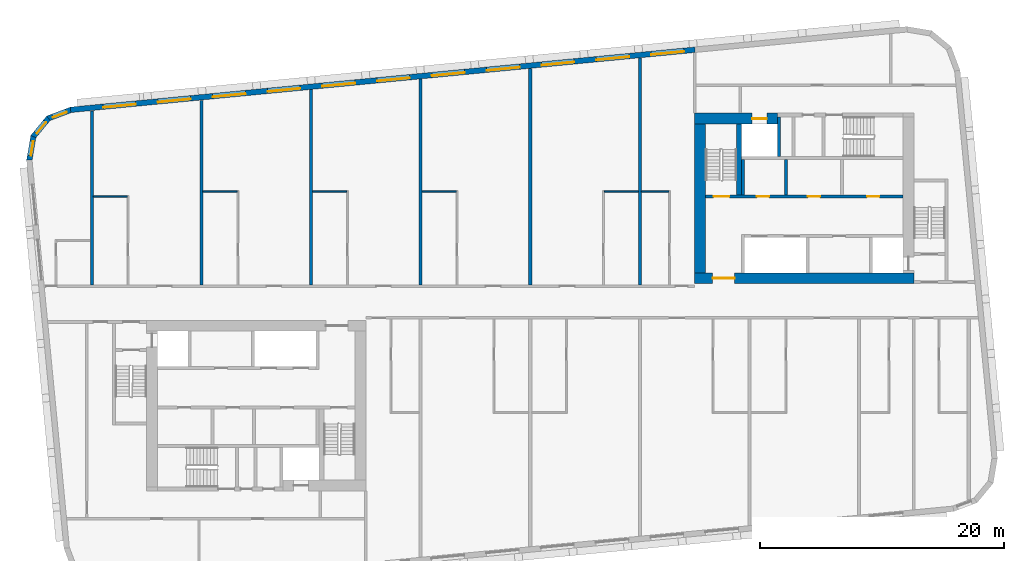
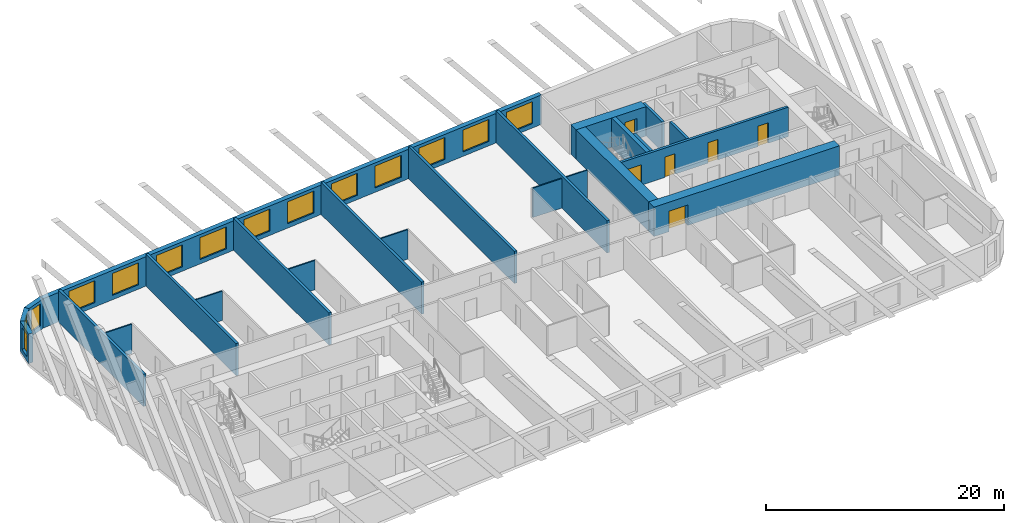
# One storey, part 5 of 12: 24 walls, 14 windows, 6 doors, 20 openings.
"""IFC4 building model written with IfcOpenShell, lengths in metres."""

from ifc_helpers import new_model, si_unit, direction, frame, frame_2d, origin, place, context, subcontext, project, spatial, polyline, rectangle, outline, extrude, material, layer, layer_set, type_object, element, fill, save


model = new_model("IFC4")

# Units and contexts
model_context = context("Model", 3, precision=1e-05, world=origin(), true_north=direction((0.0, 1.0)))
body_context = subcontext(model_context, "Body", "Model", "MODEL_VIEW")
ifc_project = project(units=[si_unit("LENGTHUNIT", "METRE"), si_unit("AREAUNIT", "SQUARE_METRE"), si_unit("VOLUMEUNIT", "CUBIC_METRE"), si_unit("PLANEANGLEUNIT", "RADIAN"), si_unit("MASSUNIT", "GRAM", prefix="KILO")], contexts=[model_context])

# Site, building, storey
site_placement = place(None, origin())
site = spatial("IfcSite", under=ifc_project, at=site_placement, CompositionType="ELEMENT")
building_placement = place(site_placement, origin())
building = spatial("IfcBuilding", under=site, at=building_placement, Name="Kajstack Hotel Tower", CompositionType="ELEMENT")
storey_placement = place(building_placement, frame((0.0, 0.0, 268.5)))
storey = spatial("IfcBuildingStorey", under=building, at=storey_placement, Name="L66", CompositionType="ELEMENT", Elevation=268.5)

# Wall, opening, door
ifc_material_1 = material(Name="Concrete C60/75", Category="concrete")
ifc_layer_1 = layer(ifc_material_1, 0.89990234375)
ifc_layer_set_1 = layer_set([ifc_layer_1], Name="Core wall 900")
wall_type_1 = type_object("IfcWallType", Name="Core wall 900", PredefinedType="SHEAR", material=ifc_layer_set_1)
wall_1_placement = place(storey_placement, frame((13.5, 1.949951171875, 0.0), z_axis=(0.0, 0.0, 1.0), x_axis=(1.0, 0.0, 0.0)))
wall_1 = element("IfcWall", 1, at=wall_1_placement, inside=storey, type_object=wall_type_1, Name="Core wall E RN", PredefinedType="SHEAR", context=body_context, shape_type="SweptSolid", body=[
    extrude(rectangle(XDim=18.0, YDim=0.89990234375, at=frame_2d((9.0, 0.0))), origin(), (0.0, 0.0, 1.0), 3.02001953125),
])
opening_1_placement = place(wall_1_placement, frame((1.47509765625, 0.0, 0.0)))
opening_1 = element("IfcOpeningElement", 2, at=opening_1_placement, cuts=wall_1, Name="Opening 66E05", PredefinedType="OPENING", context=body_context, shape_type="SweptSolid", body=[
    extrude(rectangle(XDim=1.800048828125, YDim=2.10009765625, at=frame_2d((0.89990234375, 1.050048828125))), frame((0.0, 0.4599609375, 0.0), z_axis=(0.0, -1.0, 0.0), x_axis=(1.0, 0.0, 0.0)), (0.0, 0.0, 1.0), 0.919921875),
])
ifc_material_2 = material(Name="Glazed steel frame, fire-rated glass", Category="steel")
door_type_1 = type_object("IfcDoorType", Name="Lobby double door 1800", OperationType="DOUBLE_DOOR_DOUBLE_SWING", PredefinedType="DOOR", material=ifc_material_2)
door_1_placement = place(opening_1_placement, origin())
door_1 = element("IfcDoor", 3, at=door_1_placement, inside=storey, type_object=door_type_1, Name="Door 66E05", OperationType="DOUBLE_DOOR_DOUBLE_SWING", OverallHeight=2.10009765625, OverallWidth=1.800048828125, PredefinedType="DOOR", context=body_context, shape_type="SweptSolid", body=[
    extrude(rectangle(XDim=1.800048828125, YDim=2.10009765625, at=frame_2d((0.89990234375, 1.050048828125))), frame((0.0, 0.02490234375, 0.0), z_axis=(0.0, -1.0, 0.0), x_axis=(1.0, 0.0, 0.0)), (0.0, 0.0, 1.0), 0.050048828125),
])
fill(opening_1, door_1)

wall_2_placement = place(storey_placement, frame((13.5, 15.050048828125, 0.0), z_axis=(0.0, 0.0, 1.0), x_axis=(1.0, 0.0, 0.0)))
wall_2 = element("IfcWall", 4, at=wall_2_placement, inside=storey, type_object=wall_type_1, Name="Core wall E RS", PredefinedType="SHEAR", context=body_context, shape_type="SweptSolid", body=[
    extrude(rectangle(XDim=6.800048828125, YDim=0.89990234375, at=frame_2d((3.39990234375, 0.0))), origin(), (0.0, 0.0, 1.0), 3.02001953125),
])
opening_2_placement = place(wall_2_placement, frame((4.72509765625, 0.0, 0.0)))
opening_2 = element("IfcOpeningElement", 5, at=opening_2_placement, cuts=wall_2, Name="Opening LD-SV2", PredefinedType="OPENING", context=body_context, shape_type="SweptSolid", body=[
    extrude(rectangle(XDim=1.199951171875, YDim=2.10009765625, at=frame_2d((0.60009765625, 1.050048828125))), frame((0.0, 0.4599609375, 0.0), z_axis=(0.0, -1.0, 0.0), x_axis=(1.0, 0.0, 0.0)), (0.0, 0.0, 1.0), 0.919921875),
])
ifc_material_3 = material(Name="Stainless steel", Category="steel")
door_type_2 = type_object("IfcDoorType", Name="Lift landing door 1200", OperationType="SLIDING_TO_LEFT", PredefinedType="DOOR", material=ifc_material_3)
door_2_placement = place(opening_2_placement, origin())
door_2 = element("IfcDoor", 6, at=door_2_placement, inside=storey, type_object=door_type_2, Name="Landing door SV2", OperationType="SLIDING_TO_LEFT", OverallHeight=2.10009765625, OverallWidth=1.199951171875, PredefinedType="DOOR", context=body_context, shape_type="SweptSolid", body=[
    extrude(rectangle(XDim=1.199951171875, YDim=2.10009765625, at=frame_2d((0.60009765625, 1.050048828125))), frame((0.0, 0.02490234375, 0.0), z_axis=(0.0, -1.0, 0.0), x_axis=(1.0, 0.0, 0.0)), (0.0, 0.0, 1.0), 0.050048828125),
])
fill(opening_2, door_2)

# Wall
wall_3_placement = place(storey_placement, frame((13.949951171875, 2.39990234375, 0.0), z_axis=(0.0, 0.0, 1.0), x_axis=(0.0, 1.0, 0.0)))
element("IfcWall", 7, at=wall_3_placement, inside=storey, type_object=wall_type_1, Name="Core wall E RE", PredefinedType="SHEAR", context=body_context, shape_type="SweptSolid", body=[
    extrude(rectangle(XDim=12.2001953125, YDim=0.89990234375, at=frame_2d((6.10009765625, 0.0))), origin(), (0.0, 0.0, 1.0), 3.02001953125),
])

# Wall, openings, windows
ifc_material_4 = material(Name="Terracotta-faced brick masonry", Category="masonry")
ifc_layer_2 = layer(ifc_material_4, 0.449951171875)
ifc_layer_set_2 = layer_set([ifc_layer_2], Name="EW-TERRA")
wall_type_2 = type_object("IfcWallType", Name="EW-TERRA", PredefinedType="SOLIDWALL", material=ifc_layer_set_2)
wall_4_placement = place(storey_placement, frame((13.521484375, 20.712890625, 0.0), z_axis=(0.0, 0.0, 1.0), x_axis=(-0.995396277313, -0.095844932638, 0.0)))
wall_4 = element("IfcWall", 8, at=wall_4_placement, inside=storey, type_object=wall_type_2, Name="E-wall-L66-12-01", PredefinedType="SOLIDWALL", context=body_context, shape_type="SweptSolid", body=[
    extrude(rectangle(XDim=51.4951171875, YDim=0.449951171875, at=frame_2d((25.74755859375, 0.0))), origin(), (0.0, 0.0, 1.0), 3.02001953125),
])
opening_3_placement = place(wall_4_placement, frame((0.910400390625, 0.0, 0.449951171875)))
opening_3 = element("IfcOpeningElement", 9, at=opening_3_placement, cuts=wall_4, Name="Opening W1", PredefinedType="OPENING", context=body_context, shape_type="SweptSolid", body=[
    extrude(rectangle(XDim=2.699951171875, YDim=2.25, at=frame_2d((1.35009765625, 1.125))), frame((0.0, 0.23486328125, 0.0), z_axis=(0.0, -1.0, 0.0), x_axis=(1.0, 0.0, 0.0)), (0.0, 0.0, 1.0), 0.469970703125),
])
opening_4_placement = place(wall_4_placement, frame((5.43115234375, 0.0, 0.449951171875)))
opening_4 = element("IfcOpeningElement", 10, at=opening_4_placement, cuts=wall_4, Name="Opening W1", PredefinedType="OPENING", context=body_context, shape_type="SweptSolid", body=[
    extrude(rectangle(XDim=2.699951171875, YDim=2.25, at=frame_2d((1.35009765625, 1.125))), frame((0.0, 0.23486328125, 0.0), z_axis=(0.0, -1.0, 0.0), x_axis=(1.0, 0.0, 0.0)), (0.0, 0.0, 1.0), 0.469970703125),
])
opening_5_placement = place(wall_4_placement, frame((9.951904296875, 0.0, 0.449951171875)))
opening_5 = element("IfcOpeningElement", 11, at=opening_5_placement, cuts=wall_4, Name="Opening W1", PredefinedType="OPENING", context=body_context, shape_type="SweptSolid", body=[
    extrude(rectangle(XDim=2.699951171875, YDim=2.25, at=frame_2d((1.35009765625, 1.125))), frame((0.0, 0.23486328125, 0.0), z_axis=(0.0, -1.0, 0.0), x_axis=(1.0, 0.0, 0.0)), (0.0, 0.0, 1.0), 0.469970703125),
])
opening_6_placement = place(wall_4_placement, frame((14.472900390625, 0.0, 0.449951171875)))
opening_6 = element("IfcOpeningElement", 12, at=opening_6_placement, cuts=wall_4, Name="Opening W1", PredefinedType="OPENING", context=body_context, shape_type="SweptSolid", body=[
    extrude(rectangle(XDim=2.699951171875, YDim=2.25, at=frame_2d((1.35009765625, 1.125))), frame((0.0, 0.23486328125, 0.0), z_axis=(0.0, -1.0, 0.0), x_axis=(1.0, 0.0, 0.0)), (0.0, 0.0, 1.0), 0.469970703125),
])
opening_7_placement = place(wall_4_placement, frame((18.99365234375, 0.0, 0.449951171875)))
opening_7 = element("IfcOpeningElement", 13, at=opening_7_placement, cuts=wall_4, Name="Opening W1", PredefinedType="OPENING", context=body_context, shape_type="SweptSolid", body=[
    extrude(rectangle(XDim=2.699951171875, YDim=2.25, at=frame_2d((1.35009765625, 1.125))), frame((0.0, 0.23486328125, 0.0), z_axis=(0.0, -1.0, 0.0), x_axis=(1.0, 0.0, 0.0)), (0.0, 0.0, 1.0), 0.469970703125),
])
opening_8_placement = place(wall_4_placement, frame((23.514404296875, 0.0, 0.449951171875)))
opening_8 = element("IfcOpeningElement", 14, at=opening_8_placement, cuts=wall_4, Name="Opening W1", PredefinedType="OPENING", context=body_context, shape_type="SweptSolid", body=[
    extrude(rectangle(XDim=2.699951171875, YDim=2.25, at=frame_2d((1.35009765625, 1.125))), frame((0.0, 0.23486328125, 0.0), z_axis=(0.0, -1.0, 0.0), x_axis=(1.0, 0.0, 0.0)), (0.0, 0.0, 1.0), 0.469970703125),
])
opening_9_placement = place(wall_4_placement, frame((28.035400390625, 0.0, 0.449951171875)))
opening_9 = element("IfcOpeningElement", 15, at=opening_9_placement, cuts=wall_4, Name="Opening W1", PredefinedType="OPENING", context=body_context, shape_type="SweptSolid", body=[
    extrude(rectangle(XDim=2.699951171875, YDim=2.25, at=frame_2d((1.35009765625, 1.125))), frame((0.0, 0.23486328125, 0.0), z_axis=(0.0, -1.0, 0.0), x_axis=(1.0, 0.0, 0.0)), (0.0, 0.0, 1.0), 0.469970703125),
])
opening_10_placement = place(wall_4_placement, frame((32.55615234375, 0.0, 0.449951171875)))
opening_10 = element("IfcOpeningElement", 16, at=opening_10_placement, cuts=wall_4, Name="Opening W1", PredefinedType="OPENING", context=body_context, shape_type="SweptSolid", body=[
    extrude(rectangle(XDim=2.699951171875, YDim=2.25, at=frame_2d((1.35009765625, 1.125))), frame((0.0, 0.23486328125, 0.0), z_axis=(0.0, -1.0, 0.0), x_axis=(1.0, 0.0, 0.0)), (0.0, 0.0, 1.0), 0.469970703125),
])
opening_11_placement = place(wall_4_placement, frame((37.076904296875, 0.0, 0.449951171875)))
opening_11 = element("IfcOpeningElement", 17, at=opening_11_placement, cuts=wall_4, Name="Opening W1", PredefinedType="OPENING", context=body_context, shape_type="SweptSolid", body=[
    extrude(rectangle(XDim=2.699951171875, YDim=2.25, at=frame_2d((1.35009765625, 1.125))), frame((0.0, 0.23486328125, 0.0), z_axis=(0.0, -1.0, 0.0), x_axis=(1.0, 0.0, 0.0)), (0.0, 0.0, 1.0), 0.469970703125),
])
opening_12_placement = place(wall_4_placement, frame((41.59765625, 0.0, 0.449951171875)))
opening_12 = element("IfcOpeningElement", 18, at=opening_12_placement, cuts=wall_4, Name="Opening W1", PredefinedType="OPENING", context=body_context, shape_type="SweptSolid", body=[
    extrude(rectangle(XDim=2.699951171875, YDim=2.25, at=frame_2d((1.35009765625, 1.125))), frame((0.0, 0.23486328125, 0.0), z_axis=(0.0, -1.0, 0.0), x_axis=(1.0, 0.0, 0.0)), (0.0, 0.0, 1.0), 0.469970703125),
])
opening_13_placement = place(wall_4_placement, frame((46.118408203125, 0.0, 0.449951171875)))
opening_13 = element("IfcOpeningElement", 19, at=opening_13_placement, cuts=wall_4, Name="Opening W1", PredefinedType="OPENING", context=body_context, shape_type="SweptSolid", body=[
    extrude(rectangle(XDim=2.699951171875, YDim=2.25, at=frame_2d((1.35009765625, 1.125))), frame((0.0, 0.23486328125, 0.0), z_axis=(0.0, -1.0, 0.0), x_axis=(1.0, 0.0, 0.0)), (0.0, 0.0, 1.0), 0.469970703125),
])
ifc_material_5 = material(Name="Timber-aluminium window, triple glazed", Category="wood")
window_type_1 = type_object("IfcWindowType", Name="WG1", PartitioningType="SINGLE_PANEL", PredefinedType="WINDOW", material=ifc_material_5)
window_1_placement = place(opening_3_placement, origin())
window_1 = element("IfcWindow", 20, at=window_1_placement, inside=storey, type_object=window_type_1, Name="Window W1 L66-12", OverallHeight=2.25, OverallWidth=2.699951171875, PartitioningType="SINGLE_PANEL", PredefinedType="WINDOW", context=body_context, shape_type="SweptSolid", body=[
    extrude(rectangle(XDim=2.699951171875, YDim=2.25, at=frame_2d((1.35009765625, 1.125))), frame((0.0, 0.090087890625, 0.0), z_axis=(0.0, -1.0, 0.0), x_axis=(1.0, 0.0, 0.0)), (0.0, 0.0, 1.0), 0.06005859375),
])
fill(opening_3, window_1)
window_2_placement = place(opening_4_placement, origin())
window_2 = element("IfcWindow", 21, at=window_2_placement, inside=storey, type_object=window_type_1, Name="Window W1 L66-12", OverallHeight=2.25, OverallWidth=2.699951171875, PartitioningType="SINGLE_PANEL", PredefinedType="WINDOW", context=body_context, shape_type="SweptSolid", body=[
    extrude(rectangle(XDim=2.699951171875, YDim=2.25, at=frame_2d((1.35009765625, 1.125))), frame((0.0, 0.090087890625, 0.0), z_axis=(0.0, -1.0, 0.0), x_axis=(1.0, 0.0, 0.0)), (0.0, 0.0, 1.0), 0.06005859375),
])
fill(opening_4, window_2)
window_3_placement = place(opening_5_placement, origin())
window_3 = element("IfcWindow", 22, at=window_3_placement, inside=storey, type_object=window_type_1, Name="Window W1 L66-12", OverallHeight=2.25, OverallWidth=2.699951171875, PartitioningType="SINGLE_PANEL", PredefinedType="WINDOW", context=body_context, shape_type="SweptSolid", body=[
    extrude(rectangle(XDim=2.699951171875, YDim=2.25, at=frame_2d((1.35009765625, 1.125))), frame((0.0, 0.090087890625, 0.0), z_axis=(0.0, -1.0, 0.0), x_axis=(1.0, 0.0, 0.0)), (0.0, 0.0, 1.0), 0.06005859375),
])
fill(opening_5, window_3)
window_4_placement = place(opening_6_placement, origin())
window_4 = element("IfcWindow", 23, at=window_4_placement, inside=storey, type_object=window_type_1, Name="Window W1 L66-12", OverallHeight=2.25, OverallWidth=2.699951171875, PartitioningType="SINGLE_PANEL", PredefinedType="WINDOW", context=body_context, shape_type="SweptSolid", body=[
    extrude(rectangle(XDim=2.699951171875, YDim=2.25, at=frame_2d((1.35009765625, 1.125))), frame((0.0, 0.090087890625, 0.0), z_axis=(0.0, -1.0, 0.0), x_axis=(1.0, 0.0, 0.0)), (0.0, 0.0, 1.0), 0.06005859375),
])
fill(opening_6, window_4)
window_5_placement = place(opening_7_placement, origin())
window_5 = element("IfcWindow", 24, at=window_5_placement, inside=storey, type_object=window_type_1, Name="Window W1 L66-12", OverallHeight=2.25, OverallWidth=2.699951171875, PartitioningType="SINGLE_PANEL", PredefinedType="WINDOW", context=body_context, shape_type="SweptSolid", body=[
    extrude(rectangle(XDim=2.699951171875, YDim=2.25, at=frame_2d((1.35009765625, 1.125))), frame((0.0, 0.090087890625, 0.0), z_axis=(0.0, -1.0, 0.0), x_axis=(1.0, 0.0, 0.0)), (0.0, 0.0, 1.0), 0.06005859375),
])
fill(opening_7, window_5)
window_6_placement = place(opening_8_placement, origin())
window_6 = element("IfcWindow", 25, at=window_6_placement, inside=storey, type_object=window_type_1, Name="Window W1 L66-12", OverallHeight=2.25, OverallWidth=2.699951171875, PartitioningType="SINGLE_PANEL", PredefinedType="WINDOW", context=body_context, shape_type="SweptSolid", body=[
    extrude(rectangle(XDim=2.699951171875, YDim=2.25, at=frame_2d((1.35009765625, 1.125))), frame((0.0, 0.090087890625, 0.0), z_axis=(0.0, -1.0, 0.0), x_axis=(1.0, 0.0, 0.0)), (0.0, 0.0, 1.0), 0.06005859375),
])
fill(opening_8, window_6)
window_7_placement = place(opening_9_placement, origin())
window_7 = element("IfcWindow", 26, at=window_7_placement, inside=storey, type_object=window_type_1, Name="Window W1 L66-12", OverallHeight=2.25, OverallWidth=2.699951171875, PartitioningType="SINGLE_PANEL", PredefinedType="WINDOW", context=body_context, shape_type="SweptSolid", body=[
    extrude(rectangle(XDim=2.699951171875, YDim=2.25, at=frame_2d((1.35009765625, 1.125))), frame((0.0, 0.090087890625, 0.0), z_axis=(0.0, -1.0, 0.0), x_axis=(1.0, 0.0, 0.0)), (0.0, 0.0, 1.0), 0.06005859375),
])
fill(opening_9, window_7)
window_8_placement = place(opening_10_placement, origin())
window_8 = element("IfcWindow", 27, at=window_8_placement, inside=storey, type_object=window_type_1, Name="Window W1 L66-12", OverallHeight=2.25, OverallWidth=2.699951171875, PartitioningType="SINGLE_PANEL", PredefinedType="WINDOW", context=body_context, shape_type="SweptSolid", body=[
    extrude(rectangle(XDim=2.699951171875, YDim=2.25, at=frame_2d((1.35009765625, 1.125))), frame((0.0, 0.090087890625, 0.0), z_axis=(0.0, -1.0, 0.0), x_axis=(1.0, 0.0, 0.0)), (0.0, 0.0, 1.0), 0.06005859375),
])
fill(opening_10, window_8)
window_9_placement = place(opening_11_placement, origin())
window_9 = element("IfcWindow", 28, at=window_9_placement, inside=storey, type_object=window_type_1, Name="Window W1 L66-12", OverallHeight=2.25, OverallWidth=2.699951171875, PartitioningType="SINGLE_PANEL", PredefinedType="WINDOW", context=body_context, shape_type="SweptSolid", body=[
    extrude(rectangle(XDim=2.699951171875, YDim=2.25, at=frame_2d((1.35009765625, 1.125))), frame((0.0, 0.090087890625, 0.0), z_axis=(0.0, -1.0, 0.0), x_axis=(1.0, 0.0, 0.0)), (0.0, 0.0, 1.0), 0.06005859375),
])
fill(opening_11, window_9)
window_10_placement = place(opening_12_placement, origin())
window_10 = element("IfcWindow", 29, at=window_10_placement, inside=storey, type_object=window_type_1, Name="Window W1 L66-12", OverallHeight=2.25, OverallWidth=2.699951171875, PartitioningType="SINGLE_PANEL", PredefinedType="WINDOW", context=body_context, shape_type="SweptSolid", body=[
    extrude(rectangle(XDim=2.699951171875, YDim=2.25, at=frame_2d((1.35009765625, 1.125))), frame((0.0, 0.090087890625, 0.0), z_axis=(0.0, -1.0, 0.0), x_axis=(1.0, 0.0, 0.0)), (0.0, 0.0, 1.0), 0.06005859375),
])
fill(opening_12, window_10)
window_11_placement = place(opening_13_placement, origin())
window_11 = element("IfcWindow", 30, at=window_11_placement, inside=storey, type_object=window_type_1, Name="Window W1 L66-12", OverallHeight=2.25, OverallWidth=2.699951171875, PartitioningType="SINGLE_PANEL", PredefinedType="WINDOW", context=body_context, shape_type="SweptSolid", body=[
    extrude(rectangle(XDim=2.699951171875, YDim=2.25, at=frame_2d((1.35009765625, 1.125))), frame((0.0, 0.090087890625, 0.0), z_axis=(0.0, -1.0, 0.0), x_axis=(1.0, 0.0, 0.0)), (0.0, 0.0, 1.0), 0.06005859375),
])
fill(opening_13, window_11)

# Wall, opening, window
wall_5_placement = place(storey_placement, frame((-37.67919921875, 15.79052734375, 0.0), z_axis=(0.0, 0.0, 1.0), x_axis=(-0.936677599948, -0.350192909346, 0.0)))
wall_5 = element("IfcWall", 31, at=wall_5_placement, inside=storey, type_object=wall_type_2, Name="E-wall-L66-13-00", PredefinedType="SOLIDWALL", context=body_context, shape_type="SweptSolid", body=[
    extrude(outline(polyline([(0.000244140625, -0.224853515625), (2.070556640625, -0.224853515625), (1.949951171875, 0.22509765625), (0.12060546875, 0.22509765625), (0.000244140625, -0.224853515625)])), origin(), (0.0, 0.0, 1.0), 3.02001953125),
])
opening_14_placement = place(wall_5_placement, frame((0.435302734375, 0.0, 0.449951171875)))
opening_14 = element("IfcOpeningElement", 32, at=opening_14_placement, cuts=wall_5, Name="Opening W3", PredefinedType="OPENING", context=body_context, shape_type="SweptSolid", body=[
    extrude(rectangle(XDim=1.199951171875, YDim=2.25, at=frame_2d((0.60009765625, 1.125))), frame((0.0, 0.23486328125, 0.0), z_axis=(0.0, -1.0, 0.0), x_axis=(1.0, 0.0, 0.0)), (0.0, 0.0, 1.0), 0.469970703125),
])
window_type_2 = type_object("IfcWindowType", Name="WG3", PartitioningType="SINGLE_PANEL", PredefinedType="WINDOW", material=ifc_material_5)
window_12_placement = place(opening_14_placement, origin())
window_12 = element("IfcWindow", 33, at=window_12_placement, inside=storey, type_object=window_type_2, Name="Window W3 L66-13", OverallHeight=2.25, OverallWidth=1.199951171875, PartitioningType="SINGLE_PANEL", PredefinedType="WINDOW", context=body_context, shape_type="SweptSolid", body=[
    extrude(rectangle(XDim=1.199951171875, YDim=2.25, at=frame_2d((0.60009765625, 1.125))), frame((0.0, 0.090087890625, 0.0), z_axis=(0.0, -1.0, 0.0), x_axis=(1.0, 0.0, 0.0)), (0.0, 0.0, 1.0), 0.06005859375),
])
fill(opening_14, window_12)

wall_6_placement = place(storey_placement, frame((-39.52392578125, 15.133056640625, 0.0), z_axis=(0.0, 0.0, 1.0), x_axis=(-0.636046112757, -0.771651049663, 0.0)))
wall_6 = element("IfcWall", 34, at=wall_6_placement, inside=storey, type_object=wall_type_2, Name="E-wall-L66-14-00", PredefinedType="SOLIDWALL", context=body_context, shape_type="SweptSolid", body=[
    extrude(outline(polyline([(0.0, -0.224853515625), (2.070556640625, -0.224853515625), (1.949951171875, 0.22509765625), (0.12060546875, 0.22509765625), (0.0, -0.224853515625)])), origin(), (0.0, 0.0, 1.0), 3.02001953125),
])
opening_15_placement = place(wall_6_placement, frame((0.435302734375, 0.0, 0.449951171875)))
opening_15 = element("IfcOpeningElement", 35, at=opening_15_placement, cuts=wall_6, Name="Opening W3", PredefinedType="OPENING", context=body_context, shape_type="SweptSolid", body=[
    extrude(rectangle(XDim=1.199951171875, YDim=2.25, at=frame_2d((0.60009765625, 1.125))), frame((0.0, 0.23486328125, 0.0), z_axis=(0.0, -1.0, 0.0), x_axis=(1.0, 0.0, 0.0)), (0.0, 0.0, 1.0), 0.469970703125),
])
window_13_placement = place(opening_15_placement, origin())
window_13 = element("IfcWindow", 36, at=window_13_placement, inside=storey, type_object=window_type_2, Name="Window W3 L66-14", OverallHeight=2.25, OverallWidth=1.199951171875, PartitioningType="SINGLE_PANEL", PredefinedType="WINDOW", context=body_context, shape_type="SweptSolid", body=[
    extrude(rectangle(XDim=1.199951171875, YDim=2.25, at=frame_2d((0.60009765625, 1.125))), frame((0.0, 0.090087890625, 0.0), z_axis=(0.0, -1.0, 0.0), x_axis=(1.0, 0.0, 0.0)), (0.0, 0.0, 1.0), 0.06005859375),
])
fill(opening_15, window_13)

wall_7_placement = place(storey_placement, frame((-40.79248046875, 13.641357421875, 0.0), z_axis=(0.0, 0.0, 1.0), x_axis=(-0.165068144653, -0.986282164302, 0.0)))
wall_7 = element("IfcWall", 37, at=wall_7_placement, inside=storey, type_object=wall_type_2, Name="E-wall-L66-15-00", PredefinedType="SOLIDWALL", context=body_context, shape_type="SweptSolid", body=[
    extrude(outline(polyline([(0.0, -0.22509765625), (2.070556640625, -0.22509765625), (1.949951171875, 0.224853515625), (0.12060546875, 0.224853515625), (0.0, -0.22509765625)])), origin(), (0.0, 0.0, 1.0), 3.02001953125),
])
opening_16_placement = place(wall_7_placement, frame((0.435302734375, 0.0, 0.449951171875)))
opening_16 = element("IfcOpeningElement", 38, at=opening_16_placement, cuts=wall_7, Name="Opening W3", PredefinedType="OPENING", context=body_context, shape_type="SweptSolid", body=[
    extrude(rectangle(XDim=1.199951171875, YDim=2.25, at=frame_2d((0.60009765625, 1.125))), frame((0.0, 0.23486328125, 0.0), z_axis=(0.0, -1.0, 0.0), x_axis=(1.0, 0.0, 0.0)), (0.0, 0.0, 1.0), 0.469970703125),
])
window_14_placement = place(opening_16_placement, origin())
window_14 = element("IfcWindow", 39, at=window_14_placement, inside=storey, type_object=window_type_2, Name="Window W3 L66-15", OverallHeight=2.25, OverallWidth=1.199951171875, PartitioningType="SINGLE_PANEL", PredefinedType="WINDOW", context=body_context, shape_type="SweptSolid", body=[
    extrude(rectangle(XDim=1.199951171875, YDim=2.25, at=frame_2d((0.60009765625, 1.125))), frame((0.0, 0.090087890625, 0.0), z_axis=(0.0, -1.0, 0.0), x_axis=(1.0, 0.0, 0.0)), (0.0, 0.0, 1.0), 0.06005859375),
])
fill(opening_16, window_14)

# Walls
ifc_material_6 = material(Name="Gypsum board and tiled backer on steel studs", Category="steel")
ifc_layer_3 = layer(ifc_material_6, 0.125)
ifc_layer_set_3 = layer_set([ifc_layer_3], Name="En-suite wall 125")
wall_type_3 = type_object("IfcWallType", Name="En-suite wall 125", PredefinedType="PARTITIONING", material=ifc_layer_set_3)
for number, where, z_axis, x_axis, name in (
    (40, (-35.875, 8.66796875, 0.0), (0.0, 0.0, 1.0), (1.0, 0.0, 0.0), "G-wall-L66-007"),
    (41, (-26.875, 9.06201171875, 0.0), (0.0, 0.0, 1.0), (1.0, 0.0, 0.0), "G-wall-L66-009"),
    (42, (-17.875, 9.06201171875, 0.0), (0.0, 0.0, 1.0), (1.0, 0.0, 0.0), "G-wall-L66-011"),
    (43, (-8.875, 9.06201171875, 0.0), (0.0, 0.0, 1.0), (1.0, 0.0, 0.0), "G-wall-L66-013"),
    (44, (6.074951171875, 9.06201171875, 0.0), (0.0, 0.0, 1.0), (1.0, 0.0, 0.0), "G-wall-L66-015"),
):
    element("IfcWall", number, at=place(storey_placement, frame(where, z_axis=z_axis, x_axis=x_axis)), inside=storey, type_object=wall_type_3, Name=name, PredefinedType="PARTITIONING", context=body_context, shape_type="SweptSolid", body=[
        extrude(rectangle(XDim=2.800048828125, YDim=0.125, at=frame_2d((1.39990234375, 0.0))), origin(), (0.0, 0.0, 1.0), 3.02001953125),
    ])
wall_8_placement = place(storey_placement, frame((9.125, 9.06201171875, 0.0), z_axis=(0.0, 0.0, 1.0), x_axis=(1.0, 0.0, 0.0)))
element("IfcWall", 45, at=wall_8_placement, inside=storey, type_object=wall_type_3, Name="G-wall-L66-017", PredefinedType="PARTITIONING", context=body_context, shape_type="SweptSolid", body=[
    extrude(rectangle(XDim=2.25, YDim=0.125, at=frame_2d((1.125, 0.0))), origin(), (0.0, 0.0, 1.0), 3.02001953125),
])
ifc_material_7 = material(Name="Concrete C40/50", Category="concrete")
ifc_layer_4 = layer(ifc_material_7, 0.25)
ifc_layer_set_4 = layer_set([ifc_layer_4], Name="RC cross wall 250 C40/50")
wall_type_4 = type_object("IfcWallType", Name="RC cross wall 250 C40/50", PredefinedType="SHEAR", material=ifc_layer_set_4)
wall_9_placement = place(storey_placement, frame((-36.0, 1.39990234375, 0.0), z_axis=(0.0, 0.0, 1.0), x_axis=(0.0, 1.0, 0.0)))
element("IfcWall", 46, at=wall_9_placement, inside=storey, type_object=wall_type_4, Name="S-wall-L66-01", PredefinedType="SHEAR", context=body_context, shape_type="SweptSolid", body=[
    extrude(rectangle(XDim=14.29638671875, YDim=0.25, at=frame_2d((7.148193359375, 0.0))), origin(), (0.0, 0.0, 1.0), 3.300048828125),
])
wall_10_placement = place(storey_placement, frame((-27.0, 1.39990234375, 0.0), z_axis=(0.0, 0.0, 1.0), x_axis=(0.0, 1.0, 0.0)))
element("IfcWall", 47, at=wall_10_placement, inside=storey, type_object=wall_type_4, Name="S-wall-L66-02", PredefinedType="SHEAR", context=body_context, shape_type="SweptSolid", body=[
    extrude(rectangle(XDim=15.1630859375, YDim=0.25, at=frame_2d((7.58154296875, 0.0))), origin(), (0.0, 0.0, 1.0), 3.300048828125),
])
wall_11_placement = place(storey_placement, frame((-18.0, 1.39990234375, 0.0), z_axis=(0.0, 0.0, 1.0), x_axis=(0.0, 1.0, 0.0)))
element("IfcWall", 48, at=wall_11_placement, inside=storey, type_object=wall_type_4, Name="S-wall-L66-03", PredefinedType="SHEAR", context=body_context, shape_type="SweptSolid", body=[
    extrude(rectangle(XDim=16.029541015625, YDim=0.25, at=frame_2d((8.0146484375, 0.0))), origin(), (0.0, 0.0, 1.0), 3.300048828125),
])
wall_12_placement = place(storey_placement, frame((-9.0, 1.39990234375, 0.0), z_axis=(0.0, 0.0, 1.0), x_axis=(0.0, 1.0, 0.0)))
element("IfcWall", 49, at=wall_12_placement, inside=storey, type_object=wall_type_4, Name="S-wall-L66-05", PredefinedType="SHEAR", context=body_context, shape_type="SweptSolid", body=[
    extrude(rectangle(XDim=16.896240234375, YDim=0.25, at=frame_2d((8.4482421875, 0.0))), origin(), (0.0, 0.0, 1.0), 3.300048828125),
])
wall_13_placement = place(storey_placement, frame((0.0, 1.39990234375, 0.0), z_axis=(0.0, 0.0, 1.0), x_axis=(0.0, 1.0, 0.0)))
element("IfcWall", 50, at=wall_13_placement, inside=storey, type_object=wall_type_4, Name="S-wall-L66-07", PredefinedType="SHEAR", context=body_context, shape_type="SweptSolid", body=[
    extrude(rectangle(XDim=17.7626953125, YDim=0.25, at=frame_2d((8.88134765625, 0.0))), origin(), (0.0, 0.0, 1.0), 3.300048828125),
])
wall_14_placement = place(storey_placement, frame((9.0, 1.39990234375, 0.0), z_axis=(0.0, 0.0, 1.0), x_axis=(0.0, 1.0, 0.0)))
element("IfcWall", 51, at=wall_14_placement, inside=storey, type_object=wall_type_4, Name="S-wall-L66-09", PredefinedType="SHEAR", context=body_context, shape_type="SweptSolid", body=[
    extrude(rectangle(XDim=18.62939453125, YDim=0.25, at=frame_2d((9.314697265625, 0.0))), origin(), (0.0, 0.0, 1.0), 3.300048828125),
])
ifc_material_8 = material(Name="Concrete block masonry", Category="masonry")
ifc_layer_5 = layer(ifc_material_8, 0.25)
ifc_layer_set_5 = layer_set([ifc_layer_5], Name="Riser partition 250")
wall_type_5 = type_object("IfcWallType", Name="Riser partition 250", PredefinedType="PARTITIONING", material=ifc_layer_set_5)
wall_15_placement = place(storey_placement, frame((21.0, 8.800048828125, 0.0), z_axis=(0.0, 0.0, 1.0), x_axis=(0.0, 1.0, 0.0)))
element("IfcWall", 52, at=wall_15_placement, inside=storey, type_object=wall_type_5, Name="Partition E BF1", PredefinedType="PARTITIONING", context=body_context, shape_type="SweptSolid", body=[
    extrude(rectangle(XDim=2.89990234375, YDim=0.25, at=frame_2d((1.449951171875, 0.0))), origin(), (0.0, 0.0, 1.0), 3.02001953125),
])

# Wall, openings, doors
ifc_material_9 = material(Name="Concrete C50/60", Category="concrete")
ifc_layer_6 = layer(ifc_material_9, 0.25)
ifc_layer_set_6 = layer_set([ifc_layer_6], Name="Shaft wall 250")
wall_type_6 = type_object("IfcWallType", Name="Shaft wall 250", PredefinedType="SHEAR", material=ifc_layer_set_6)
wall_16_placement = place(storey_placement, frame((14.39990234375, 8.675048828125, 0.0), z_axis=(0.0, 0.0, 1.0), x_axis=(1.0, 0.0, 0.0)))
wall_16 = element("IfcWall", 53, at=wall_16_placement, inside=storey, type_object=wall_type_6, Name="Core wall E FB", PredefinedType="SHEAR", context=body_context, shape_type="SweptSolid", body=[
    extrude(rectangle(XDim=16.2001953125, YDim=0.25, at=frame_2d((8.10009765625, 0.0))), origin(), (0.0, 0.0, 1.0), 3.02001953125),
])
opening_17_placement = place(wall_16_placement, frame((0.64990234375, 0.0, 0.0)))
opening_17 = element("IfcOpeningElement", 54, at=opening_17_placement, cuts=wall_16, Name="Opening 66E09", PredefinedType="OPENING", context=body_context, shape_type="SweptSolid", body=[
    extrude(rectangle(XDim=1.300048828125, YDim=2.10009765625, at=frame_2d((0.64990234375, 1.050048828125))), frame((0.0, 0.135009765625, 0.0), z_axis=(0.0, -1.0, 0.0), x_axis=(1.0, 0.0, 0.0)), (0.0, 0.0, 1.0), 0.27001953125),
])
opening_18_placement = place(wall_16_placement, frame((13.262451171875, 0.0, 0.0)))
opening_18 = element("IfcOpeningElement", 55, at=opening_18_placement, cuts=wall_16, Name="Opening 66E12", PredefinedType="OPENING", context=body_context, shape_type="SweptSolid", body=[
    extrude(rectangle(XDim=1.0, YDim=2.10009765625, at=frame_2d((0.5, 1.050048828125))), frame((0.0, 0.135009765625, 0.0), z_axis=(0.0, -1.0, 0.0), x_axis=(1.0, 0.0, 0.0)), (0.0, 0.0, 1.0), 0.27001953125),
])
opening_19_placement = place(wall_16_placement, frame((8.39990234375, 0.0, 0.0)))
opening_19 = element("IfcOpeningElement", 56, at=opening_19_placement, cuts=wall_16, Name="Opening 66E13", PredefinedType="OPENING", context=body_context, shape_type="SweptSolid", body=[
    extrude(rectangle(XDim=1.0, YDim=2.10009765625, at=frame_2d((0.5, 1.050048828125))), frame((0.0, 0.135009765625, 0.0), z_axis=(0.0, -1.0, 0.0), x_axis=(1.0, 0.0, 0.0)), (0.0, 0.0, 1.0), 0.27001953125),
])
opening_20_placement = place(wall_16_placement, frame((4.21240234375, 0.0, 0.0)))
opening_20 = element("IfcOpeningElement", 57, at=opening_20_placement, cuts=wall_16, Name="Opening 66E14", PredefinedType="OPENING", context=body_context, shape_type="SweptSolid", body=[
    extrude(rectangle(XDim=1.0, YDim=2.10009765625, at=frame_2d((0.5, 1.050048828125))), frame((0.0, 0.135009765625, 0.0), z_axis=(0.0, -1.0, 0.0), x_axis=(1.0, 0.0, 0.0)), (0.0, 0.0, 1.0), 0.27001953125),
])
ifc_material_10 = material(Name="Timber leaf, fire-rated", Category="wood")
door_type_3 = type_object("IfcDoorType", Name="Service room door 1000", OperationType="SINGLE_SWING_LEFT", PredefinedType="DOOR", material=ifc_material_10)
door_3_placement = place(opening_18_placement, origin())
door_3 = element("IfcDoor", 58, at=door_3_placement, inside=storey, type_object=door_type_3, Name="Door 66E12", OperationType="SINGLE_SWING_LEFT", OverallHeight=2.10009765625, OverallWidth=1.0, PredefinedType="DOOR", context=body_context, shape_type="SweptSolid", body=[
    extrude(rectangle(XDim=1.0, YDim=2.10009765625, at=frame_2d((0.5, 1.050048828125))), frame((0.0, 0.02490234375, 0.0), z_axis=(0.0, -1.0, 0.0), x_axis=(1.0, 0.0, 0.0)), (0.0, 0.0, 1.0), 0.050048828125),
])
fill(opening_18, door_3)
door_4_placement = place(opening_19_placement, origin())
door_4 = element("IfcDoor", 59, at=door_4_placement, inside=storey, type_object=door_type_3, Name="Door 66E13", OperationType="SINGLE_SWING_LEFT", OverallHeight=2.10009765625, OverallWidth=1.0, PredefinedType="DOOR", context=body_context, shape_type="SweptSolid", body=[
    extrude(rectangle(XDim=1.0, YDim=2.10009765625, at=frame_2d((0.5, 1.050048828125))), frame((0.0, 0.02490234375, 0.0), z_axis=(0.0, -1.0, 0.0), x_axis=(1.0, 0.0, 0.0)), (0.0, 0.0, 1.0), 0.050048828125),
])
fill(opening_19, door_4)
door_5_placement = place(opening_20_placement, origin())
door_5 = element("IfcDoor", 60, at=door_5_placement, inside=storey, type_object=door_type_3, Name="Door 66E14", OperationType="SINGLE_SWING_LEFT", OverallHeight=2.10009765625, OverallWidth=1.0, PredefinedType="DOOR", context=body_context, shape_type="SweptSolid", body=[
    extrude(rectangle(XDim=1.0, YDim=2.10009765625, at=frame_2d((0.5, 1.050048828125))), frame((0.0, 0.02490234375, 0.0), z_axis=(0.0, -1.0, 0.0), x_axis=(1.0, 0.0, 0.0)), (0.0, 0.0, 1.0), 0.050048828125),
])
fill(opening_20, door_5)
ifc_material_11 = material(Name="Steel leaf, fire-rated", Category="steel")
door_type_4 = type_object("IfcDoorType", Name="Stair door 1300", OperationType="SINGLE_SWING_LEFT", PredefinedType="DOOR", material=ifc_material_11)
door_6_placement = place(opening_17_placement, origin())
door_6 = element("IfcDoor", 61, at=door_6_placement, inside=storey, type_object=door_type_4, Name="Door 66E09", OperationType="SINGLE_SWING_LEFT", OverallHeight=2.10009765625, OverallWidth=1.300048828125, PredefinedType="DOOR", context=body_context, shape_type="SweptSolid", body=[
    extrude(rectangle(XDim=1.300048828125, YDim=2.10009765625, at=frame_2d((0.64990234375, 1.050048828125))), frame((0.0, 0.02490234375, 0.0), z_axis=(0.0, -1.0, 0.0), x_axis=(1.0, 0.0, 0.0)), (0.0, 0.0, 1.0), 0.050048828125),
])
fill(opening_17, door_6)

# Walls
wall_17_placement = place(storey_placement, frame((17.47509765625, 8.800048828125, 0.0), z_axis=(0.0, 0.0, 1.0), x_axis=(0.0, 1.0, 0.0)))
element("IfcWall", 62, at=wall_17_placement, inside=storey, type_object=wall_type_6, Name="Core wall E BE", PredefinedType="SHEAR", context=body_context, shape_type="SweptSolid", body=[
    extrude(rectangle(XDim=2.89990234375, YDim=0.25, at=frame_2d((1.449951171875, 0.0))), origin(), (0.0, 0.0, 1.0), 3.02001953125),
])
wall_18_placement = place(storey_placement, frame((20.425048828125, 11.949951171875, 0.0), z_axis=(0.0, 0.0, 1.0), x_axis=(0.0, 1.0, 0.0)))
element("IfcWall", 63, at=wall_18_placement, inside=storey, type_object=wall_type_6, Name="Core wall E SVW", PredefinedType="SHEAR", context=body_context, shape_type="SweptSolid", body=[
    extrude(rectangle(XDim=3.25, YDim=0.25, at=frame_2d((1.625, 0.0))), origin(), (0.0, 0.0, 1.0), 3.02001953125),
])
ifc_layer_7 = layer(ifc_material_9, 0.39990234375)
ifc_layer_set_7 = layer_set([ifc_layer_7], Name="Stair wall 400")
wall_type_7 = type_object("IfcWallType", Name="Stair wall 400", PredefinedType="SHEAR", material=ifc_layer_set_7)
wall_19_placement = place(storey_placement, frame((17.14990234375, 8.800048828125, 0.0), z_axis=(0.0, 0.0, 1.0), x_axis=(0.0, 1.0, 0.0)))
element("IfcWall", 64, at=wall_19_placement, inside=storey, type_object=wall_type_7, Name="Core wall E WW2", PredefinedType="SHEAR", context=body_context, shape_type="SweptSolid", body=[
    extrude(rectangle(XDim=5.800048828125, YDim=0.39990234375, at=frame_2d((2.89990234375, 0.0))), origin(), (0.0, 0.0, 1.0), 3.02001953125),
])

save(model, "model.ifc")
